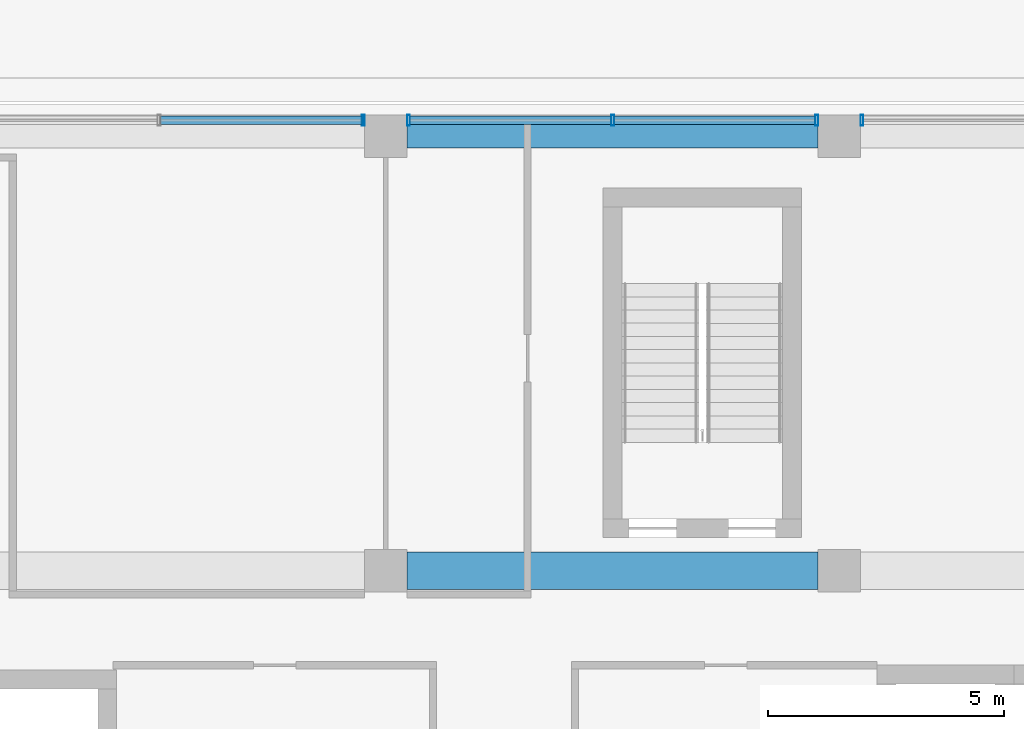
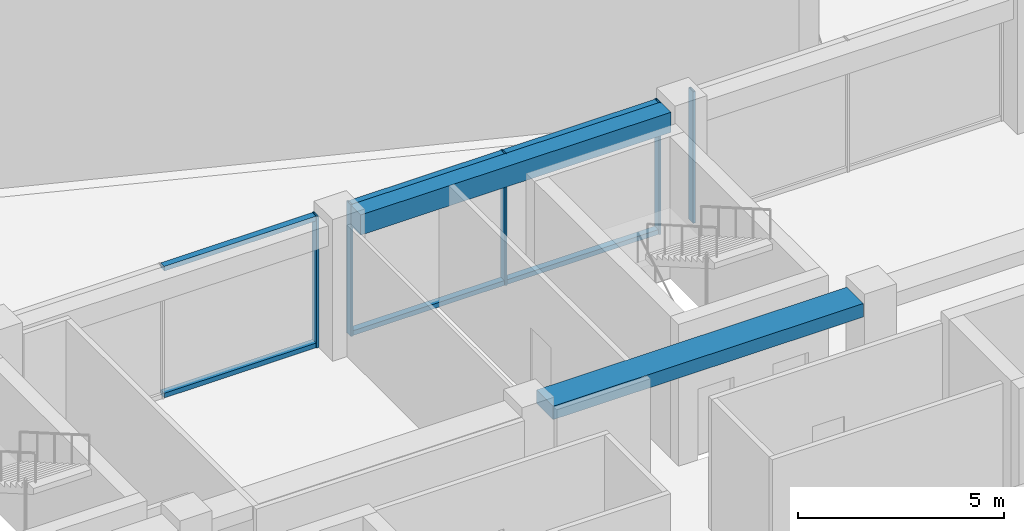
# One storey, part 22 of 72: 11 members, 2 beams, 3 elements without a shape of their own.
"""IFC4 building model written with IfcOpenShell, lengths in metres."""

from ifc_helpers import new_model, si_unit, direction, frame, origin, origin_2d, place, context, subcontext, project, spatial, rectangle, hollow_rectangle, extrude, material, layer, layer_set, material_profile, profile_set, type_object, element, aggregate, save


model = new_model("IFC4")

# Units and contexts
model_context = context("Model", 3, precision=1e-05, world=origin(), true_north=direction((0.0, 1.0)))
body_context = subcontext(model_context, "Body", "Model", "MODEL_VIEW")
ifc_project = project(units=[si_unit("LENGTHUNIT", "METRE"), si_unit("AREAUNIT", "SQUARE_METRE"), si_unit("VOLUMEUNIT", "CUBIC_METRE"), si_unit("PLANEANGLEUNIT", "RADIAN"), si_unit("MASSUNIT", "GRAM", prefix="KILO")], contexts=[model_context])

# Site, building, storey
site_placement = place(None, origin())
site = spatial("IfcSite", under=ifc_project, at=site_placement, CompositionType="ELEMENT")
building_placement = place(site_placement, origin())
building = spatial("IfcBuilding", under=site, at=building_placement, Name="Nzadi Deep Aquarium and Research Tower", CompositionType="ELEMENT")
storey_placement = place(building_placement, frame((0.0, 0.0, 31.89990234375)))
storey = spatial("IfcBuildingStorey", under=building, at=storey_placement, Name="L05", CompositionType="ELEMENT", Elevation=31.89990234375)

# Curtain wall, member
ifc_material_1 = material(Name="Aluminium unitised frame deep", Category="aluminium")
ifc_layer = layer(ifc_material_1, 0.22509765625)
ifc_layer_set = layer_set([ifc_layer], Name="Aluminium unitised frame deep")
curtain_wall_type = type_object("IfcCurtainWallType", Name="Curtain wall Unitised Deep 225", PredefinedType="NOTDEFINED", material=ifc_layer_set)
curtain_wall_1_placement = place(storey_placement, origin())
curtain_wall_1 = element("IfcCurtainWall", 1, at=curtain_wall_1_placement, inside=storey, type_object=curtain_wall_type, Name="Unitised curtain wall blade B north L05", PredefinedType="NOTDEFINED")
ifc_material_2 = material(Name="Aluminium unitised frame deep", Category="aluminium")
ifc_material_profile_1 = material_profile(ifc_material_2, hollow_rectangle(XDim=0.22509765625, YDim=0.06005859375, WallThickness=0.0048828125, at=origin_2d()))
ifc_profile_set_1 = profile_set([ifc_material_profile_1], Name="Aluminium unitised frame deep")
member_type_1 = type_object("IfcMemberType", Name="Mullion 60x225 Unitised Deep", PredefinedType="MULLION", material=ifc_profile_set_1)
member_1_placement = place(storey_placement, frame((18.719970703125, 46.33740234375, 0.0), z_axis=(0.0, 0.0, 1.0), x_axis=(0.0, 1.0, 0.0)))
member_1 = element("IfcMember", 2, at=member_1_placement, type_object=member_type_1, Name="CW084 mullion 3", PredefinedType="MULLION", context=body_context, shape_type="SweptSolid", body=[
    extrude(hollow_rectangle(XDim=0.22509765625, YDim=0.06005859375, WallThickness=0.0048828125, at=origin_2d()), origin(), (0.0, 0.0, 1.0), 3.900146484375),
])

# Curtain wall, members
curtain_wall_2_placement = place(storey_placement, origin())
curtain_wall_2 = element("IfcCurtainWall", 3, at=curtain_wall_2_placement, inside=storey, type_object=curtain_wall_type, Name="Unitised curtain wall blade B north L05", PredefinedType="NOTDEFINED")
member_2_placement = place(storey_placement, frame((19.679931640625, 46.33740234375, 0.0), z_axis=(0.0, 0.0, 1.0), x_axis=(0.0, 1.0, 0.0)))
member_2 = element("IfcMember", 4, at=member_2_placement, type_object=member_type_1, Name="CW085 mullion 1", PredefinedType="MULLION", context=body_context, shape_type="SweptSolid", body=[
    extrude(hollow_rectangle(XDim=0.22509765625, YDim=0.06005859375, WallThickness=0.0048828125, at=origin_2d()), origin(), (0.0, 0.0, 1.0), 3.900146484375),
])
member_3_placement = place(storey_placement, frame((24.0, 46.33740234375, 0.0), z_axis=(0.0, 0.0, 1.0), x_axis=(0.0, 1.0, 0.0)))
member_3 = element("IfcMember", 5, at=member_3_placement, type_object=member_type_1, Name="CW085 mullion 2", PredefinedType="MULLION", context=body_context, shape_type="SweptSolid", body=[
    extrude(hollow_rectangle(XDim=0.22509765625, YDim=0.06005859375, WallThickness=0.0048828125, at=origin_2d()), origin(), (0.0, 0.0, 1.0), 3.900146484375),
])
member_4_placement = place(storey_placement, frame((28.320068359375, 46.33740234375, 0.0), z_axis=(0.0, 0.0, 1.0), x_axis=(0.0, 1.0, 0.0)))
member_4 = element("IfcMember", 6, at=member_4_placement, type_object=member_type_1, Name="CW085 mullion 3", PredefinedType="MULLION", context=body_context, shape_type="SweptSolid", body=[
    extrude(hollow_rectangle(XDim=0.22509765625, YDim=0.06005859375, WallThickness=0.0048828125, at=origin_2d()), origin(), (0.0, 0.0, 1.0), 3.900146484375),
])

# Curtain wall, member
curtain_wall_3_placement = place(storey_placement, origin())
curtain_wall_3 = element("IfcCurtainWall", 7, at=curtain_wall_3_placement, inside=storey, type_object=curtain_wall_type, Name="Unitised curtain wall blade B north L05", PredefinedType="NOTDEFINED")
member_5_placement = place(storey_placement, frame((29.280029296875, 46.33740234375, 0.0), z_axis=(0.0, 0.0, 1.0), x_axis=(0.0, 1.0, 0.0)))
member_5 = element("IfcMember", 8, at=member_5_placement, type_object=member_type_1, Name="CW086 mullion 1", PredefinedType="MULLION", context=body_context, shape_type="SweptSolid", body=[
    extrude(hollow_rectangle(XDim=0.22509765625, YDim=0.06005859375, WallThickness=0.0048828125, at=origin_2d()), origin(), (0.0, 0.0, 1.0), 3.900146484375),
])
aggregate(curtain_wall_3, [member_5])

# Beams
ifc_material_3 = material(Name="Concrete C35/45", Category="concrete")
ifc_material_profile_2 = material_profile(ifc_material_3, rectangle(XDim=0.5, YDim=0.60009765625, at=origin_2d()))
ifc_profile_set_2 = profile_set([ifc_material_profile_2], Name="Concrete C35/45")
beam_type_1 = type_object("IfcBeamType", Name="RC 500x600", PredefinedType="BEAM", material=ifc_profile_set_2)
beam_1_placement = place(storey_placement, frame((19.64990234375, 46.0, 3.60009765625), z_axis=(1.0, 0.0, 0.0), x_axis=(0.0, 1.0, 0.0)))
element("IfcBeam", 9, at=beam_1_placement, inside=storey, type_object=beam_type_1, Name="B-Z1-L05-L6-3", PredefinedType="BEAM", context=body_context, shape_type="SweptSolid", body=[
    extrude(rectangle(XDim=0.5, YDim=0.60009765625, at=origin_2d()), origin(), (0.0, 0.0, 1.0), 8.7001953125),
])
ifc_material_4 = material(Name="Concrete C35/45", Category="concrete")
ifc_material_profile_3 = material_profile(ifc_material_4, rectangle(XDim=0.800048828125, YDim=0.39990234375, at=origin_2d()))
ifc_profile_set_3 = profile_set([ifc_material_profile_3], Name="Concrete C35/45")
beam_type_2 = type_object("IfcBeamType", Name="RC 800x400", PredefinedType="BEAM", material=ifc_profile_set_3)
beam_2_placement = place(storey_placement, frame((19.64990234375, 36.800048828125, 3.7001953125), z_axis=(1.0, 0.0, 0.0), x_axis=(0.0, 1.0, 0.0)))
element("IfcBeam", 10, at=beam_2_placement, inside=storey, type_object=beam_type_2, Name="B-Z1-L05-L5-3", PredefinedType="BEAM", context=body_context, shape_type="SweptSolid", body=[
    extrude(rectangle(XDim=0.800048828125, YDim=0.39990234375, at=origin_2d()), origin(), (0.0, 0.0, 1.0), 8.7001953125),
])

# Member
ifc_material_5 = material(Name="Aluminium unitised frame deep", Category="aluminium")
ifc_material_profile_4 = material_profile(ifc_material_5, hollow_rectangle(XDim=0.179931640625, YDim=0.139892578125, WallThickness=0.0048828125, at=origin_2d()))
ifc_profile_set_4 = profile_set([ifc_material_profile_4], Name="Aluminium unitised frame deep")
member_type_2 = type_object("IfcMemberType", Name="Transom 140x180 Unitised Deep", PredefinedType="MULLION", material=ifc_profile_set_4)
member_6_placement = place(storey_placement, frame((14.429931640625, 46.33740234375, 0.070068359375), z_axis=(1.0, 0.0, 0.0), x_axis=(0.0, 1.0, 0.0)))
member_6 = element("IfcMember", 11, at=member_6_placement, type_object=member_type_2, Name="CW084 transom 2.1", PredefinedType="MULLION", context=body_context, shape_type="SweptSolid", body=[
    extrude(hollow_rectangle(XDim=0.179931640625, YDim=0.139892578125, WallThickness=0.0048828125, at=origin_2d()), origin(), (0.0, 0.0, 1.0), 4.260009765625),
])

member_7_placement = place(storey_placement, frame((14.429931640625, 46.33740234375, 3.830078125), z_axis=(1.0, 0.0, 0.0), x_axis=(0.0, 1.0, 0.0)))
member_7 = element("IfcMember", 12, at=member_7_placement, type_object=member_type_2, Name="CW084 transom 2.2", PredefinedType="MULLION", context=body_context, shape_type="SweptSolid", body=[
    extrude(hollow_rectangle(XDim=0.179931640625, YDim=0.139892578125, WallThickness=0.0048828125, at=origin_2d()), origin(), (0.0, 0.0, 1.0), 4.260009765625),
])

aggregate(curtain_wall_1, [member_1, member_6, member_7])

member_8_placement = place(storey_placement, frame((19.7099609375, 46.33740234375, 0.070068359375), z_axis=(1.0, 0.0, 0.0), x_axis=(0.0, 1.0, 0.0)))
member_8 = element("IfcMember", 13, at=member_8_placement, type_object=member_type_2, Name="CW085 transom 1.1", PredefinedType="MULLION", context=body_context, shape_type="SweptSolid", body=[
    extrude(hollow_rectangle(XDim=0.179931640625, YDim=0.139892578125, WallThickness=0.0048828125, at=origin_2d()), origin(), (0.0, 0.0, 1.0), 4.260009765625),
])

member_9_placement = place(storey_placement, frame((19.7099609375, 46.33740234375, 3.830078125), z_axis=(1.0, 0.0, 0.0), x_axis=(0.0, 1.0, 0.0)))
member_9 = element("IfcMember", 14, at=member_9_placement, type_object=member_type_2, Name="CW085 transom 1.2", PredefinedType="MULLION", context=body_context, shape_type="SweptSolid", body=[
    extrude(hollow_rectangle(XDim=0.179931640625, YDim=0.139892578125, WallThickness=0.0048828125, at=origin_2d()), origin(), (0.0, 0.0, 1.0), 4.260009765625),
])

member_10_placement = place(storey_placement, frame((24.030029296875, 46.33740234375, 0.070068359375), z_axis=(1.0, 0.0, 0.0), x_axis=(0.0, 1.0, 0.0)))
member_10 = element("IfcMember", 15, at=member_10_placement, type_object=member_type_2, Name="CW085 transom 2.1", PredefinedType="MULLION", context=body_context, shape_type="SweptSolid", body=[
    extrude(hollow_rectangle(XDim=0.179931640625, YDim=0.139892578125, WallThickness=0.0048828125, at=origin_2d()), origin(), (0.0, 0.0, 1.0), 4.260009765625),
])

member_11_placement = place(storey_placement, frame((24.030029296875, 46.33740234375, 3.830078125), z_axis=(1.0, 0.0, 0.0), x_axis=(0.0, 1.0, 0.0)))
member_11 = element("IfcMember", 16, at=member_11_placement, type_object=member_type_2, Name="CW085 transom 2.2", PredefinedType="MULLION", context=body_context, shape_type="SweptSolid", body=[
    extrude(hollow_rectangle(XDim=0.179931640625, YDim=0.139892578125, WallThickness=0.0048828125, at=origin_2d()), origin(), (0.0, 0.0, 1.0), 4.260009765625),
])

aggregate(curtain_wall_2, [member_2, member_3, member_4, member_8, member_9, member_10, member_11])

save(model, "model.ifc")
